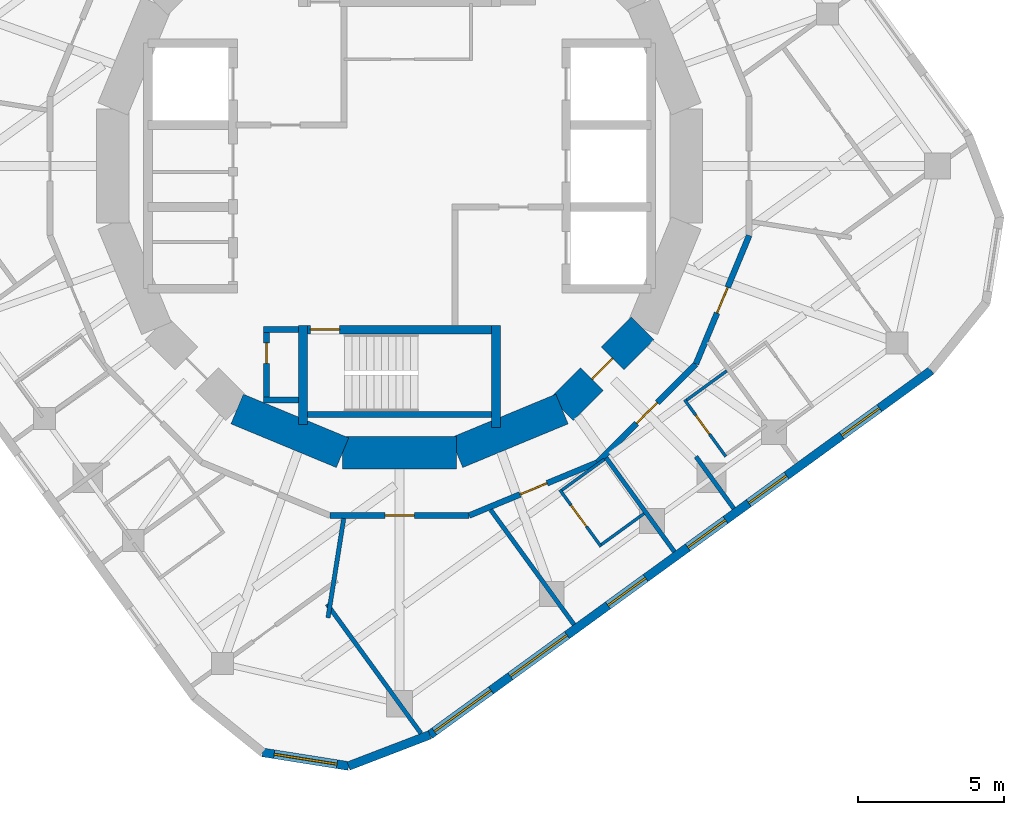
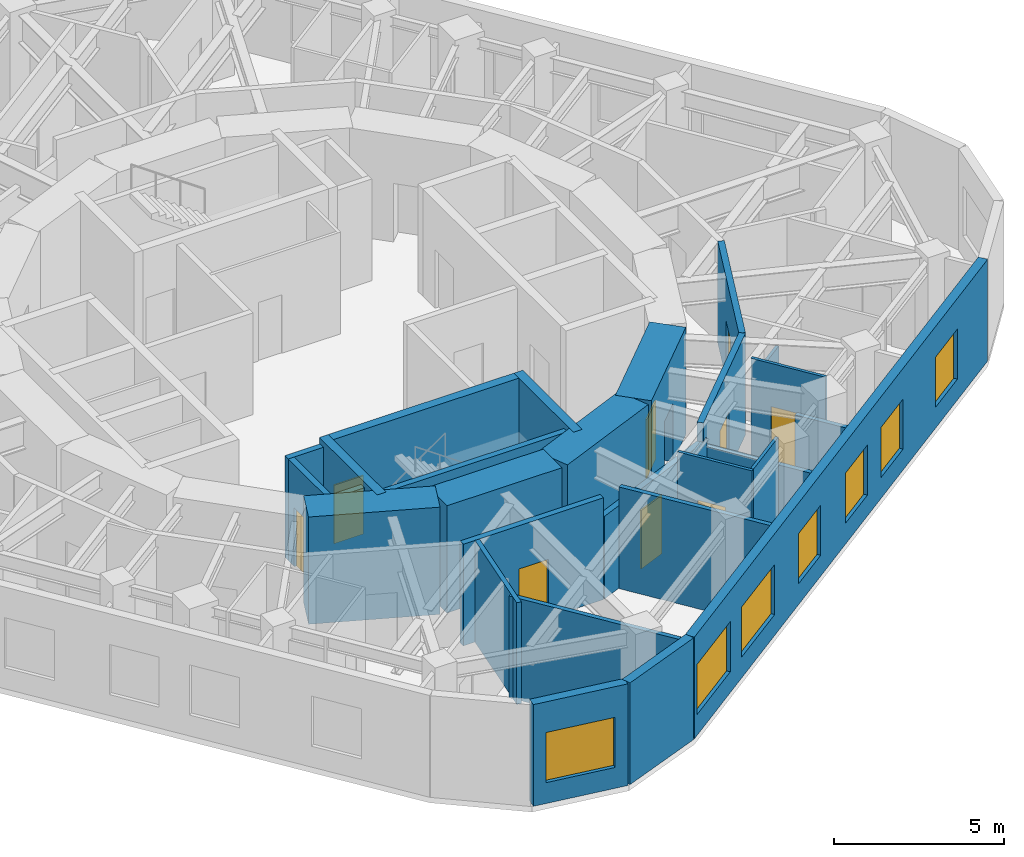
# One storey, part 4 of 9: 28 walls, 9 doors, 7 windows, 16 openings.
"""IFC4 building model written with IfcOpenShell, lengths in metres."""

from ifc_helpers import new_model, si_unit, direction, frame, frame_2d, origin, place, context, subcontext, project, spatial, rectangle, extrude, material, layer, layer_set, type_object, element, fill, save


model = new_model("IFC4")

# Units and contexts
model_context = context("Model", 3, precision=1e-05, world=origin(), true_north=direction((0.0, 1.0)))
body_context = subcontext(model_context, "Body", "Model", "MODEL_VIEW")
ifc_project = project(units=[si_unit("LENGTHUNIT", "METRE"), si_unit("AREAUNIT", "SQUARE_METRE"), si_unit("VOLUMEUNIT", "CUBIC_METRE"), si_unit("PLANEANGLEUNIT", "RADIAN"), si_unit("MASSUNIT", "GRAM", prefix="KILO")], contexts=[model_context])

# Site, building, storey
site_placement = place(None, origin())
site = spatial("IfcSite", under=ifc_project, at=site_placement, CompositionType="ELEMENT")
building_placement = place(site_placement, origin())
building = spatial("IfcBuilding", under=site, at=building_placement, Name="Nakasero Lantern House", CompositionType="ELEMENT")
storey_placement = place(building_placement, frame((0.0, 0.0, 294.550048828125)))
storey = spatial("IfcBuildingStorey", under=building, at=storey_placement, Name="L72", CompositionType="ELEMENT", Elevation=294.550048828125)

# Wall, opening, door
ifc_material_1 = material(Name="Concrete C50/60", Category="concrete")
ifc_layer_1 = layer(ifc_material_1, 0.300048828125)
ifc_layer_set_1 = layer_set([ifc_layer_1], Name="Core inner wall 300")
wall_type_1 = type_object("IfcWallType", Name="Core inner wall 300", PredefinedType="SHEAR", material=ifc_layer_set_1)
wall_1_placement = place(storey_placement, frame((-3.449951171875, -5.60009765625, 0.0), z_axis=(0.0, 0.0, 1.0), x_axis=(1.0, 0.0, 0.0)))
wall_1 = element("IfcWall", 1, at=wall_1_placement, inside=storey, type_object=wall_type_1, Name="Core inner wall L72 SS", PredefinedType="SHEAR", context=body_context, shape_type="SweptSolid", body=[
    extrude(rectangle(XDim=6.89990234375, YDim=0.300048828125, at=frame_2d((3.449951171875, 0.0))), origin(), (0.0, 0.0, 1.0), 3.849853515625),
])
opening_1_placement = place(wall_1_placement, frame((0.39990234375, 0.0, 0.0)))
opening_1 = element("IfcOpeningElement", 2, at=opening_1_placement, cuts=wall_1, Name="Opening D05", PredefinedType="OPENING", context=body_context, shape_type="SweptSolid", body=[
    extrude(rectangle(XDim=1.0, YDim=2.10009765625, at=frame_2d((0.5, 1.050048828125))), frame((0.0, 0.169921875, 0.0), z_axis=(0.0, -1.0, 0.0), x_axis=(1.0, 0.0, 0.0)), (0.0, 0.0, 1.0), 0.340087890625),
])
ifc_material_2 = material(Name="Timber C24", Category="wood")
door_type_1 = type_object("IfcDoorType", Name="Core door FD60S 1000", OperationType="SINGLE_SWING_LEFT", PredefinedType="DOOR", material=ifc_material_2)
door_1_placement = place(opening_1_placement, origin())
door_1 = element("IfcDoor", 3, at=door_1_placement, inside=storey, type_object=door_type_1, Name="Door L72 D-ST2", OperationType="SINGLE_SWING_LEFT", OverallHeight=2.10009765625, OverallWidth=1.0, PredefinedType="DOOR", context=body_context, shape_type="SweptSolid", body=[
    extrude(rectangle(XDim=1.0, YDim=2.10009765625, at=frame_2d((0.5, 1.050048828125))), frame((0.0, 0.02490234375, 0.0), z_axis=(0.0, -1.0, 0.0), x_axis=(1.0, 0.0, 0.0)), (0.0, 0.0, 1.0), 0.050048828125),
])
fill(opening_1, door_1)

# Walls
wall_2_placement = place(storey_placement, frame((-3.300048828125, -5.449951171875, 0.0), z_axis=(0.0, 0.0, 1.0), x_axis=(0.0, -1.0, 0.0)))
element("IfcWall", 4, at=wall_2_placement, inside=storey, type_object=wall_type_1, Name="Core inner wall L72 SSW", PredefinedType="SHEAR", context=body_context, shape_type="SweptSolid", body=[
    extrude(rectangle(XDim=3.400146484375, YDim=0.300048828125, at=frame_2d((1.7001953125, 0.0))), origin(), (0.0, 0.0, 1.0), 3.849853515625),
])
wall_3_placement = place(storey_placement, frame((3.300048828125, -5.449951171875, 0.0), z_axis=(0.0, 0.0, 1.0), x_axis=(0.0, -1.0, 0.0)))
element("IfcWall", 5, at=wall_3_placement, inside=storey, type_object=wall_type_1, Name="Core inner wall L72 SSE", PredefinedType="SHEAR", context=body_context, shape_type="SweptSolid", body=[
    extrude(rectangle(XDim=3.5, YDim=0.300048828125, at=frame_2d((1.75, 0.0))), origin(), (0.0, 0.0, 1.0), 3.849853515625),
])
ifc_material_3 = material(Name="Concrete C50/60", Category="concrete")
ifc_layer_2 = layer(ifc_material_3, 1.10009765625)
ifc_layer_set_2 = layer_set([ifc_layer_2], Name="Core wall 1100")
wall_type_2 = type_object("IfcWallType", Name="Core wall 1100", PredefinedType="SHEAR", material=ifc_layer_set_2)
for number, where, z_axis, x_axis, name in (
    (6, (-5.5556640625, -8.314697265625, 0.0), (0.0, 0.0, 1.0), (0.923876507187, -0.382690736062, 0.0), "Core wall L72 facet 11"),
    (7, (-1.950927734375, -9.807861328125, 0.0), (0.0, 0.0, 1.0), (1.0, 0.0, 0.0), "Core wall L72 facet 12"),
    (8, (1.950927734375, -9.807861328125, 0.0), (0.0, 0.0, 1.0), (0.923876507187, 0.382690736062, 0.0), "Core wall L72 facet 13"),
):
    element("IfcWall", number, at=place(storey_placement, frame(where, z_axis=z_axis, x_axis=x_axis)), inside=storey, type_object=wall_type_2, Name=name, PredefinedType="SHEAR", context=body_context, shape_type="SweptSolid", body=[
        extrude(rectangle(XDim=3.90185546875, YDim=1.10009765625, at=frame_2d((1.950927734375, 0.0))), origin(), (0.0, 0.0, 1.0), 3.849853515625),
    ])

# Wall, opening, door
wall_4_placement = place(storey_placement, frame((5.5556640625, -8.314697265625, 0.0), z_axis=(0.0, 0.0, 1.0), x_axis=(0.707106781187, 0.707106781187, 0.0)))
wall_4 = element("IfcWall", 9, at=wall_4_placement, inside=storey, type_object=wall_type_2, Name="Core wall L72 facet 14", PredefinedType="SHEAR", context=body_context, shape_type="SweptSolid", body=[
    extrude(rectangle(XDim=3.90185546875, YDim=1.10009765625, at=frame_2d((1.950927734375, 0.0))), origin(), (0.0, 0.0, 1.0), 3.849853515625),
])
opening_2_placement = place(wall_4_placement, frame((1.450927734375, 0.0, 0.0)))
opening_2 = element("IfcOpeningElement", 10, at=opening_2_placement, cuts=wall_4, Name="Opening D05", PredefinedType="OPENING", context=body_context, shape_type="SweptSolid", body=[
    extrude(rectangle(XDim=1.0, YDim=2.10009765625, at=frame_2d((0.5, 1.050048828125))), frame((0.0, 0.570068359375, 0.0), z_axis=(0.0, -1.0, 0.0), x_axis=(1.0, 0.0, 0.0)), (0.0, 0.0, 1.0), 1.14013671875),
])
door_2_placement = place(opening_2_placement, origin())
door_2 = element("IfcDoor", 11, at=door_2_placement, inside=storey, type_object=door_type_1, Name="Door L72 D-CORE14", OperationType="SINGLE_SWING_LEFT", OverallHeight=2.10009765625, OverallWidth=1.0, PredefinedType="DOOR", context=body_context, shape_type="SweptSolid", body=[
    extrude(rectangle(XDim=1.0, YDim=2.10009765625, at=frame_2d((0.5, 1.050048828125))), frame((0.0, 0.02490234375, 0.0), z_axis=(0.0, -1.0, 0.0), x_axis=(1.0, 0.0, 0.0)), (0.0, 0.0, 1.0), 0.050048828125),
])
fill(opening_2, door_2)

ifc_material_4 = material(Name="Blockwork", Category="masonry")
ifc_layer_3 = layer(ifc_material_4, 0.199951171875)
ifc_layer_set_3 = layer_set([ifc_layer_3], Name="Corridor wall 200")
wall_type_3 = type_object("IfcWallType", Name="Corridor wall 200", PredefinedType="PARTITIONING", material=ifc_layer_set_3)
wall_5_placement = place(storey_placement, frame((11.957763671875, -2.378662109375, 0.0), z_axis=(0.0, 0.0, 1.0), x_axis=(-0.382653970627, -0.923891735412, 0.0)))
wall_5 = element("IfcWall", 12, at=wall_5_placement, inside=storey, type_object=wall_type_3, Name="Corridor wall L72 RC01a", PredefinedType="PARTITIONING", context=body_context, shape_type="SweptSolid", body=[
    extrude(rectangle(XDim=4.757080078125, YDim=0.199951171875, at=frame_2d((2.37841796875, 0.0))), origin(), (0.0, 0.0, 1.0), 3.64990234375),
])
opening_3_placement = place(wall_5_placement, frame((1.919921875, 0.0, 0.0)))
opening_3 = element("IfcOpeningElement", 13, at=opening_3_placement, cuts=wall_5, Name="Opening D01", PredefinedType="OPENING", context=body_context, shape_type="SweptSolid", body=[
    extrude(rectangle(XDim=0.949951171875, YDim=2.10009765625, at=frame_2d((0.47509765625, 1.050048828125))), frame((0.0, 0.119873046875, 0.0), z_axis=(0.0, -1.0, 0.0), x_axis=(1.0, 0.0, 0.0)), (0.0, 0.0, 1.0), 0.239990234375),
])
ifc_material_5 = material(Name="Timber C24", Category="wood")
door_type_2 = type_object("IfcDoorType", Name="Bedroom door FD30S 950", OperationType="SINGLE_SWING_LEFT", PredefinedType="DOOR", material=ifc_material_5)
door_3_placement = place(opening_3_placement, origin())
door_3 = element("IfcDoor", 14, at=door_3_placement, inside=storey, type_object=door_type_2, Name="Door L72 D3-06", OperationType="SINGLE_SWING_RIGHT", OverallHeight=2.10009765625, OverallWidth=0.949951171875, PredefinedType="DOOR", context=body_context, shape_type="SweptSolid", body=[
    extrude(rectangle(XDim=0.949951171875, YDim=2.10009765625, at=frame_2d((0.47509765625, 1.050048828125))), frame((0.0, 0.02490234375, 0.0), z_axis=(0.0, -1.0, 0.0), x_axis=(1.0, 0.0, 0.0)), (0.0, 0.0, 1.0), 0.050048828125),
])
fill(opening_3, door_3)

wall_6_placement = place(storey_placement, frame((10.137451171875, -6.773681640625, 0.0), z_axis=(0.0, 0.0, 1.0), x_axis=(-0.707106781187, -0.707106781187, 0.0)))
wall_6 = element("IfcWall", 15, at=wall_6_placement, inside=storey, type_object=wall_type_3, Name="Corridor wall L72 RC02a", PredefinedType="PARTITIONING", context=body_context, shape_type="SweptSolid", body=[
    extrude(rectangle(XDim=4.757080078125, YDim=0.199951171875, at=frame_2d((2.37841796875, 0.0))), origin(), (0.0, 0.0, 1.0), 3.64990234375),
])
opening_4_placement = place(wall_6_placement, frame((1.8701171875, 0.0, 0.0)))
opening_4 = element("IfcOpeningElement", 16, at=opening_4_placement, cuts=wall_6, Name="Opening D07", PredefinedType="OPENING", context=body_context, shape_type="SweptSolid", body=[
    extrude(rectangle(XDim=1.0, YDim=2.10009765625, at=frame_2d((0.5, 1.050048828125))), frame((0.0, 0.119873046875, 0.0), z_axis=(0.0, -1.0, 0.0), x_axis=(1.0, 0.0, 0.0)), (0.0, 0.0, 1.0), 0.239990234375),
])
ifc_material_6 = material(Name="Timber C24", Category="wood")
door_type_3 = type_object("IfcDoorType", Name="Room door FD30S 1000", OperationType="SINGLE_SWING_LEFT", PredefinedType="DOOR", material=ifc_material_6)
door_4_placement = place(opening_4_placement, origin())
door_4 = element("IfcDoor", 17, at=door_4_placement, inside=storey, type_object=door_type_3, Name="Door L72 D3-04", OperationType="SINGLE_SWING_LEFT", OverallHeight=2.10009765625, OverallWidth=1.0, PredefinedType="DOOR", context=body_context, shape_type="SweptSolid", body=[
    extrude(rectangle(XDim=1.0, YDim=2.10009765625, at=frame_2d((0.5, 1.050048828125))), frame((0.0, 0.02490234375, 0.0), z_axis=(0.0, -1.0, 0.0), x_axis=(1.0, 0.0, 0.0)), (0.0, 0.0, 1.0), 0.050048828125),
])
fill(opening_4, door_4)

wall_7_placement = place(storey_placement, frame((6.773681640625, -10.137451171875, 0.0), z_axis=(0.0, 0.0, 1.0), x_axis=(-0.923891735412, -0.382653970627, 0.0)))
wall_7 = element("IfcWall", 18, at=wall_7_placement, inside=storey, type_object=wall_type_3, Name="Corridor wall L72 RC03a", PredefinedType="PARTITIONING", context=body_context, shape_type="SweptSolid", body=[
    extrude(rectangle(XDim=4.757080078125, YDim=0.199951171875, at=frame_2d((2.37841796875, 0.0))), origin(), (0.0, 0.0, 1.0), 2.966552734375),
])
opening_5_placement = place(wall_7_placement, frame((1.8701171875, 0.0, 0.0)))
opening_5 = element("IfcOpeningElement", 19, at=opening_5_placement, cuts=wall_7, Name="Opening D07", PredefinedType="OPENING", context=body_context, shape_type="SweptSolid", body=[
    extrude(rectangle(XDim=1.0, YDim=2.10009765625, at=frame_2d((0.5, 1.050048828125))), frame((0.0, 0.119873046875, 0.0), z_axis=(0.0, -1.0, 0.0), x_axis=(1.0, 0.0, 0.0)), (0.0, 0.0, 1.0), 0.239990234375),
])
door_5_placement = place(opening_5_placement, origin())
door_5 = element("IfcDoor", 20, at=door_5_placement, inside=storey, type_object=door_type_3, Name="Door L72 D3-03", OperationType="SINGLE_SWING_LEFT", OverallHeight=2.10009765625, OverallWidth=1.0, PredefinedType="DOOR", context=body_context, shape_type="SweptSolid", body=[
    extrude(rectangle(XDim=1.0, YDim=2.10009765625, at=frame_2d((0.5, 1.050048828125))), frame((0.0, 0.02490234375, 0.0), z_axis=(0.0, -1.0, 0.0), x_axis=(1.0, 0.0, 0.0)), (0.0, 0.0, 1.0), 0.050048828125),
])
fill(opening_5, door_5)

wall_8_placement = place(storey_placement, frame((2.378662109375, -11.957763671875, 0.0), z_axis=(0.0, 0.0, 1.0), x_axis=(-1.0, 0.0, 0.0)))
wall_8 = element("IfcWall", 21, at=wall_8_placement, inside=storey, type_object=wall_type_3, Name="Corridor wall L72 RC04a", PredefinedType="PARTITIONING", context=body_context, shape_type="SweptSolid", body=[
    extrude(rectangle(XDim=4.75732421875, YDim=0.199951171875, at=frame_2d((2.378662109375, 0.0))), origin(), (0.0, 0.0, 1.0), 3.64990234375),
])
opening_6_placement = place(wall_8_placement, frame((1.8701171875, 0.0, 0.0)))
opening_6 = element("IfcOpeningElement", 22, at=opening_6_placement, cuts=wall_8, Name="Opening D03", PredefinedType="OPENING", context=body_context, shape_type="SweptSolid", body=[
    extrude(rectangle(XDim=1.0, YDim=2.10009765625, at=frame_2d((0.5, 1.050048828125))), frame((0.0, 0.119873046875, 0.0), z_axis=(0.0, -1.0, 0.0), x_axis=(1.0, 0.0, 0.0)), (0.0, 0.0, 1.0), 0.239990234375),
])
ifc_material_7 = material(Name="Timber C24", Category="wood")
door_type_4 = type_object("IfcDoorType", Name="Lounge door FD30S 1000", OperationType="SINGLE_SWING_LEFT", PredefinedType="DOOR", material=ifc_material_7)
door_6_placement = place(opening_6_placement, origin())
door_6 = element("IfcDoor", 23, at=door_6_placement, inside=storey, type_object=door_type_4, Name="Door L72 DK3", OperationType="SINGLE_SWING_LEFT", OverallHeight=2.10009765625, OverallWidth=1.0, PredefinedType="DOOR", context=body_context, shape_type="SweptSolid", body=[
    extrude(rectangle(XDim=1.0, YDim=2.10009765625, at=frame_2d((0.5, 1.050048828125))), frame((0.0, 0.02490234375, 0.0), z_axis=(0.0, -1.0, 0.0), x_axis=(1.0, 0.0, 0.0)), (0.0, 0.0, 1.0), 0.050048828125),
])
fill(opening_6, door_6)

ifc_material_8 = material(Name="Blockwork", Category="masonry")
ifc_layer_4 = layer(ifc_material_8, 0.10009765625)
ifc_layer_set_4 = layer_set([ifc_layer_4], Name="En-suite wall 100")
wall_type_4 = type_object("IfcWallType", Name="En-suite wall 100", PredefinedType="PARTITIONING", material=ifc_layer_set_4)
wall_9_placement = place(storey_placement, frame((5.48193359375, -11.078125, 0.0), z_axis=(0.0, 0.0, 1.0), x_axis=(0.587772420479, -0.809026317077, 0.0)))
wall_9 = element("IfcWall", 24, at=wall_9_placement, inside=storey, type_object=wall_type_4, Name="En-suite wall L72 ES3-03", PredefinedType="PARTITIONING", context=body_context, shape_type="SweptSolid", body=[
    extrude(rectangle(XDim=2.39990234375, YDim=0.10009765625, at=frame_2d((1.199951171875, 0.0))), origin(), (0.0, 0.0, 1.0), 3.64990234375),
])
opening_7_placement = place(wall_9_placement, frame((0.64990234375, 0.0, 0.0)))
opening_7 = element("IfcOpeningElement", 25, at=opening_7_placement, cuts=wall_9, Name="Opening D16", PredefinedType="OPENING", context=body_context, shape_type="SweptSolid", body=[
    extrude(rectangle(XDim=0.89990234375, YDim=2.10009765625, at=frame_2d((0.449951171875, 1.050048828125))), frame((0.0, 0.070068359375, 0.0), z_axis=(0.0, -1.0, 0.0), x_axis=(1.0, 0.0, 0.0)), (0.0, 0.0, 1.0), 0.14013671875),
])
ifc_material_9 = material(Name="Timber C24", Category="wood")
door_type_5 = type_object("IfcDoorType", Name="Accessible WC door 900", OperationType="SINGLE_SWING_RIGHT", PredefinedType="DOOR", material=ifc_material_9)
door_7_placement = place(opening_7_placement, origin())
door_7 = element("IfcDoor", 26, at=door_7_placement, inside=storey, type_object=door_type_5, Name="Door L72 DE3-03", OperationType="SINGLE_SWING_LEFT", OverallHeight=2.10009765625, OverallWidth=0.89990234375, PredefinedType="DOOR", context=body_context, shape_type="SweptSolid", body=[
    extrude(rectangle(XDim=0.89990234375, YDim=2.10009765625, at=frame_2d((0.449951171875, 1.050048828125))), frame((0.0, 0.02490234375, 0.0), z_axis=(0.0, -1.0, 0.0), x_axis=(1.0, 0.0, 0.0)), (0.0, 0.0, 1.0), 0.050048828125),
])
fill(opening_7, door_7)

# Walls
wall_10_placement = place(storey_placement, frame((6.903564453125, -12.949951171875, 0.0), z_axis=(0.0, 0.0, 1.0), x_axis=(0.809005783898, 0.58780068188, 0.0)))
element("IfcWall", 27, at=wall_10_placement, inside=storey, type_object=wall_type_4, Name="En-suite wall L72 EE3-03", PredefinedType="PARTITIONING", context=body_context, shape_type="SweptSolid", body=[
    extrude(rectangle(XDim=1.800048828125, YDim=0.10009765625, at=frame_2d((0.89990234375, 0.0))), origin(), (0.0, 0.0, 1.0), 3.64990234375),
])
wall_11_placement = place(storey_placement, frame((5.5517578125, -11.089111328125, 0.0), z_axis=(0.0, 0.0, 1.0), x_axis=(0.809070278701, 0.587711905718, 0.0)))
element("IfcWall", 28, at=wall_11_placement, inside=storey, type_object=wall_type_4, Name="En-suite wall L72 EI3-03", PredefinedType="PARTITIONING", context=body_context, shape_type="SweptSolid", body=[
    extrude(rectangle(XDim=1.800048828125, YDim=0.10009765625, at=frame_2d((0.89990234375, 0.0))), origin(), (0.0, 0.0, 1.0), 2.966552734375),
])

# Wall, opening, door
wall_12_placement = place(storey_placement, frame((9.747314453125, -7.998291015625, 0.0), z_axis=(0.0, 0.0, 1.0), x_axis=(0.587772420479, -0.809026317077, 0.0)))
wall_12 = element("IfcWall", 29, at=wall_12_placement, inside=storey, type_object=wall_type_4, Name="En-suite wall L72 ES3-04", PredefinedType="PARTITIONING", context=body_context, shape_type="SweptSolid", body=[
    extrude(rectangle(XDim=2.39990234375, YDim=0.10009765625, at=frame_2d((1.199951171875, 0.0))), origin(), (0.0, 0.0, 1.0), 3.64990234375),
])
opening_8_placement = place(wall_12_placement, frame((0.64990234375, 0.0, 0.0)))
opening_8 = element("IfcOpeningElement", 30, at=opening_8_placement, cuts=wall_12, Name="Opening D15", PredefinedType="OPENING", context=body_context, shape_type="SweptSolid", body=[
    extrude(rectangle(XDim=0.800048828125, YDim=2.10009765625, at=frame_2d((0.39990234375, 1.050048828125))), frame((0.0, 0.070068359375, 0.0), z_axis=(0.0, -1.0, 0.0), x_axis=(1.0, 0.0, 0.0)), (0.0, 0.0, 1.0), 0.14013671875),
])
ifc_material_10 = material(Name="Timber C24", Category="wood")
door_type_6 = type_object("IfcDoorType", Name="Cleaner's store door FD30S 800", OperationType="SINGLE_SWING_LEFT", PredefinedType="DOOR", material=ifc_material_10)
door_8_placement = place(opening_8_placement, origin())
door_8 = element("IfcDoor", 31, at=door_8_placement, inside=storey, type_object=door_type_6, Name="Door L72 DE3-04", OperationType="SINGLE_SWING_LEFT", OverallHeight=2.10009765625, OverallWidth=0.800048828125, PredefinedType="DOOR", context=body_context, shape_type="SweptSolid", body=[
    extrude(rectangle(XDim=0.800048828125, YDim=2.10009765625, at=frame_2d((0.39990234375, 1.050048828125))), frame((0.0, 0.02490234375, 0.0), z_axis=(0.0, -1.0, 0.0), x_axis=(1.0, 0.0, 0.0)), (0.0, 0.0, 1.0), 0.050048828125),
])
fill(opening_8, door_8)

# Wall
wall_13_placement = place(storey_placement, frame((9.817138671875, -8.00927734375, 0.0), z_axis=(0.0, 0.0, 1.0), x_axis=(0.808990636343, 0.587821529301, 0.0)))
element("IfcWall", 32, at=wall_13_placement, inside=storey, type_object=wall_type_4, Name="En-suite wall L72 EI3-04", PredefinedType="PARTITIONING", context=body_context, shape_type="SweptSolid", body=[
    extrude(rectangle(XDim=1.699951171875, YDim=0.10009765625, at=frame_2d((0.85009765625, 0.0))), origin(), (0.0, 0.0, 1.0), 2.966552734375),
])

# Wall, opening, window
ifc_material_11 = material(Name="Aluminium rainscreen on blockwork", Category="masonry")
ifc_layer_5 = layer(ifc_material_11, 0.300048828125)
ifc_layer_set_5 = layer_set([ifc_layer_5], Name="Facade wall 300")
wall_type_5 = type_object("IfcWallType", Name="Facade wall 300", PredefinedType="SOLIDWALL", material=ifc_layer_set_5)
wall_14_placement = place(storey_placement, frame((-4.683837890625, -20.05908203125, 0.0), z_axis=(0.0, 0.0, 1.0), x_axis=(0.987691704133, -0.156413227021, 0.0)))
wall_14 = element("IfcWall", 33, at=wall_14_placement, inside=storey, type_object=wall_type_5, Name="Facade wall L72 FW2C2", PredefinedType="SOLIDWALL", context=body_context, shape_type="SweptSolid", body=[
    extrude(rectangle(XDim=2.9765625, YDim=0.300048828125, at=frame_2d((1.48828125, 0.0))), origin(), (0.0, 0.0, 1.0), 3.64990234375),
])
opening_9_placement = place(wall_14_placement, frame((0.39990234375, 0.0, 0.75)))
opening_9 = element("IfcOpeningElement", 34, at=opening_9_placement, cuts=wall_14, Name="Opening W221", PredefinedType="OPENING", context=body_context, shape_type="SweptSolid", body=[
    extrude(rectangle(XDim=2.176025390625, YDim=1.800048828125, at=frame_2d((1.087890625, 0.89990234375))), frame((0.0, 0.169921875, 0.0), z_axis=(0.0, -1.0, 0.0), x_axis=(1.0, 0.0, 0.0)), (0.0, 0.0, 1.0), 0.340087890625),
])
ifc_material_12 = material(Name="Aluminium 6063-T6 and glass", Category="aluminium")
window_type_1 = type_object("IfcWindowType", Name="Corner window 2176x1800", PartitioningType="SINGLE_PANEL", PredefinedType="WINDOW", material=ifc_material_12)
window_1_placement = place(opening_9_placement, origin())
window_1 = element("IfcWindow", 35, at=window_1_placement, inside=storey, type_object=window_type_1, Name="Window L72 WC2", OverallHeight=1.800048828125, OverallWidth=2.176025390625, PartitioningType="SINGLE_PANEL", PredefinedType="WINDOW", context=body_context, shape_type="SweptSolid", body=[
    extrude(rectangle(XDim=2.176025390625, YDim=1.800048828125, at=frame_2d((1.087890625, 0.89990234375))), frame((0.0, 0.030029296875, 0.0), z_axis=(0.0, -1.0, 0.0), x_axis=(1.0, 0.0, 0.0)), (0.0, 0.0, 1.0), 0.06005859375),
])
fill(opening_9, window_1)

# Wall
wall_15_placement = place(storey_placement, frame((-1.743896484375, -20.524658203125, 0.0), z_axis=(0.0, 0.0, 1.0), x_axis=(0.933573745966, 0.35838535244, 0.0)))
element("IfcWall", 36, at=wall_15_placement, inside=storey, type_object=wall_type_5, Name="Facade wall L72 FW2C3", PredefinedType="SOLIDWALL", context=body_context, shape_type="SweptSolid", body=[
    extrude(rectangle(XDim=2.976318359375, YDim=0.300048828125, at=frame_2d((1.48828125, 0.0))), origin(), (0.0, 0.0, 1.0), 3.64990234375),
])

# Wall, openings, windows
wall_16_placement = place(storey_placement, frame((1.03466796875, -19.4580078125, 0.0), z_axis=(0.0, 0.0, 1.0), x_axis=(0.809013375328, 0.587790233451, 0.0)))
wall_16 = element("IfcWall", 37, at=wall_16_placement, inside=storey, type_object=wall_type_5, Name="Facade wall L72 FW3S", PredefinedType="SOLIDWALL", context=body_context, shape_type="SweptSolid", body=[
    extrude(rectangle(XDim=21.199951171875, YDim=0.300048828125, at=frame_2d((10.60009765625, 0.0))), origin(), (0.0, 0.0, 1.0), 3.64990234375),
])
opening_10_placement = place(wall_16_placement, frame((7.52783203125, 0.0, 0.75)))
opening_10 = element("IfcOpeningElement", 38, at=opening_10_placement, cuts=wall_16, Name="Opening W01", PredefinedType="OPENING", context=body_context, shape_type="SweptSolid", body=[
    extrude(rectangle(XDim=1.60009765625, YDim=1.800048828125, at=frame_2d((0.800048828125, 0.89990234375))), frame((0.0, 0.169921875, 0.0), z_axis=(0.0, -1.0, 0.0), x_axis=(1.0, 0.0, 0.0)), (0.0, 0.0, 1.0), 0.340087890625),
])
opening_11_placement = place(wall_16_placement, frame((10.904052734375, 0.0, 0.75)))
opening_11 = element("IfcOpeningElement", 39, at=opening_11_placement, cuts=wall_16, Name="Opening W01", PredefinedType="OPENING", context=body_context, shape_type="SweptSolid", body=[
    extrude(rectangle(XDim=1.60009765625, YDim=1.800048828125, at=frame_2d((0.800048828125, 0.89990234375))), frame((0.0, 0.169921875, 0.0), z_axis=(0.0, -1.0, 0.0), x_axis=(1.0, 0.0, 0.0)), (0.0, 0.0, 1.0), 0.340087890625),
])
opening_12_placement = place(wall_16_placement, frame((13.484619140625, 0.0, 0.75)))
opening_12 = element("IfcOpeningElement", 40, at=opening_12_placement, cuts=wall_16, Name="Opening W01", PredefinedType="OPENING", context=body_context, shape_type="SweptSolid", body=[
    extrude(rectangle(XDim=1.60009765625, YDim=1.800048828125, at=frame_2d((0.800048828125, 0.89990234375))), frame((0.0, 0.169921875, 0.0), z_axis=(0.0, -1.0, 0.0), x_axis=(1.0, 0.0, 0.0)), (0.0, 0.0, 1.0), 0.340087890625),
])
opening_13_placement = place(wall_16_placement, frame((17.410888671875, 0.0, 0.75)))
opening_13 = element("IfcOpeningElement", 41, at=opening_13_placement, cuts=wall_16, Name="Opening W01", PredefinedType="OPENING", context=body_context, shape_type="SweptSolid", body=[
    extrude(rectangle(XDim=1.60009765625, YDim=1.800048828125, at=frame_2d((0.800048828125, 0.89990234375))), frame((0.0, 0.169921875, 0.0), z_axis=(0.0, -1.0, 0.0), x_axis=(1.0, 0.0, 0.0)), (0.0, 0.0, 1.0), 0.340087890625),
])
opening_14_placement = place(wall_16_placement, frame((0.1904296875, 0.0, 0.75)))
opening_14 = element("IfcOpeningElement", 42, at=opening_14_placement, cuts=wall_16, Name="Opening W03", PredefinedType="OPENING", context=body_context, shape_type="SweptSolid", body=[
    extrude(rectangle(XDim=2.39990234375, YDim=1.800048828125, at=frame_2d((1.199951171875, 0.89990234375))), frame((0.0, 0.169921875, 0.0), z_axis=(0.0, -1.0, 0.0), x_axis=(1.0, 0.0, 0.0)), (0.0, 0.0, 1.0), 0.340087890625),
])
opening_15_placement = place(wall_16_placement, frame((3.401611328125, 0.0, 0.75)))
opening_15 = element("IfcOpeningElement", 43, at=opening_15_placement, cuts=wall_16, Name="Opening W03", PredefinedType="OPENING", context=body_context, shape_type="SweptSolid", body=[
    extrude(rectangle(XDim=2.39990234375, YDim=1.800048828125, at=frame_2d((1.199951171875, 0.89990234375))), frame((0.0, 0.169921875, 0.0), z_axis=(0.0, -1.0, 0.0), x_axis=(1.0, 0.0, 0.0)), (0.0, 0.0, 1.0), 0.340087890625),
])
ifc_material_13 = material(Name="Aluminium 6063-T6 and glass", Category="aluminium")
window_type_2 = type_object("IfcWindowType", Name="Bedroom window 1600x1800", PartitioningType="SINGLE_PANEL", PredefinedType="WINDOW", material=ifc_material_13)
window_2_placement = place(opening_10_placement, origin())
window_2 = element("IfcWindow", 44, at=window_2_placement, inside=storey, type_object=window_type_2, Name="Window L72 WN3-03", OverallHeight=1.800048828125, OverallWidth=1.60009765625, PartitioningType="SINGLE_PANEL", PredefinedType="WINDOW", context=body_context, shape_type="SweptSolid", body=[
    extrude(rectangle(XDim=1.60009765625, YDim=1.800048828125, at=frame_2d((0.800048828125, 0.89990234375))), frame((0.0, 0.030029296875, 0.0), z_axis=(0.0, -1.0, 0.0), x_axis=(1.0, 0.0, 0.0)), (0.0, 0.0, 1.0), 0.06005859375),
])
fill(opening_10, window_2)
window_3_placement = place(opening_11_placement, origin())
window_3 = element("IfcWindow", 45, at=window_3_placement, inside=storey, type_object=window_type_2, Name="Window L72 WN3-04", OverallHeight=1.800048828125, OverallWidth=1.60009765625, PartitioningType="SINGLE_PANEL", PredefinedType="WINDOW", context=body_context, shape_type="SweptSolid", body=[
    extrude(rectangle(XDim=1.60009765625, YDim=1.800048828125, at=frame_2d((0.800048828125, 0.89990234375))), frame((0.0, 0.030029296875, 0.0), z_axis=(0.0, -1.0, 0.0), x_axis=(1.0, 0.0, 0.0)), (0.0, 0.0, 1.0), 0.06005859375),
])
fill(opening_11, window_3)
window_4_placement = place(opening_12_placement, origin())
window_4 = element("IfcWindow", 46, at=window_4_placement, inside=storey, type_object=window_type_2, Name="Window L72 WN3-05", OverallHeight=1.800048828125, OverallWidth=1.60009765625, PartitioningType="SINGLE_PANEL", PredefinedType="WINDOW", context=body_context, shape_type="SweptSolid", body=[
    extrude(rectangle(XDim=1.60009765625, YDim=1.800048828125, at=frame_2d((0.800048828125, 0.89990234375))), frame((0.0, 0.030029296875, 0.0), z_axis=(0.0, -1.0, 0.0), x_axis=(1.0, 0.0, 0.0)), (0.0, 0.0, 1.0), 0.06005859375),
])
fill(opening_12, window_4)
window_5_placement = place(opening_13_placement, origin())
window_5 = element("IfcWindow", 47, at=window_5_placement, inside=storey, type_object=window_type_2, Name="Window L72 WN3-06", OverallHeight=1.800048828125, OverallWidth=1.60009765625, PartitioningType="SINGLE_PANEL", PredefinedType="WINDOW", context=body_context, shape_type="SweptSolid", body=[
    extrude(rectangle(XDim=1.60009765625, YDim=1.800048828125, at=frame_2d((0.800048828125, 0.89990234375))), frame((0.0, 0.030029296875, 0.0), z_axis=(0.0, -1.0, 0.0), x_axis=(1.0, 0.0, 0.0)), (0.0, 0.0, 1.0), 0.06005859375),
])
fill(opening_13, window_5)
ifc_material_14 = material(Name="Aluminium 6063-T6 and glass", Category="aluminium")
window_type_3 = type_object("IfcWindowType", Name="Lounge window 2400x1800", PartitioningType="SINGLE_PANEL", PredefinedType="WINDOW", material=ifc_material_14)
window_6_placement = place(opening_14_placement, origin())
window_6 = element("IfcWindow", 48, at=window_6_placement, inside=storey, type_object=window_type_3, Name="Window L72 WK3", OverallHeight=1.800048828125, OverallWidth=2.39990234375, PartitioningType="SINGLE_PANEL", PredefinedType="WINDOW", context=body_context, shape_type="SweptSolid", body=[
    extrude(rectangle(XDim=2.39990234375, YDim=1.800048828125, at=frame_2d((1.199951171875, 0.89990234375))), frame((0.0, 0.030029296875, 0.0), z_axis=(0.0, -1.0, 0.0), x_axis=(1.0, 0.0, 0.0)), (0.0, 0.0, 1.0), 0.06005859375),
])
fill(opening_14, window_6)
window_7_placement = place(opening_15_placement, origin())
window_7 = element("IfcWindow", 49, at=window_7_placement, inside=storey, type_object=window_type_3, Name="Window L72 WL3", OverallHeight=1.800048828125, OverallWidth=2.39990234375, PartitioningType="SINGLE_PANEL", PredefinedType="WINDOW", context=body_context, shape_type="SweptSolid", body=[
    extrude(rectangle(XDim=2.39990234375, YDim=1.800048828125, at=frame_2d((1.199951171875, 0.89990234375))), frame((0.0, 0.030029296875, 0.0), z_axis=(0.0, -1.0, 0.0), x_axis=(1.0, 0.0, 0.0)), (0.0, 0.0, 1.0), 0.06005859375),
])
fill(opening_15, window_7)

# Wall, opening, door
ifc_material_15 = material(Name="Blockwork", Category="masonry")
ifc_layer_6 = layer(ifc_material_15, 0.199951171875)
ifc_layer_set_6 = layer_set([ifc_layer_6], Name="Fire lobby wall 200")
wall_type_6 = type_object("IfcWallType", Name="Fire lobby wall 200", PredefinedType="PARTITIONING", material=ifc_layer_set_6)
wall_17_placement = place(storey_placement, frame((-4.550048828125, -5.60009765625, 0.0), z_axis=(0.0, 0.0, 1.0), x_axis=(0.0, -1.0, 0.0)))
wall_17 = element("IfcWall", 50, at=wall_17_placement, inside=storey, type_object=wall_type_6, Name="Fire lobby wall L72 W-RS2W", PredefinedType="PARTITIONING", context=body_context, shape_type="SweptSolid", body=[
    extrude(rectangle(XDim=2.39990234375, YDim=0.199951171875, at=frame_2d((1.199951171875, 0.0))), origin(), (0.0, 0.0, 1.0), 3.64990234375),
])
opening_16_placement = place(wall_17_placement, frame((0.449951171875, 0.0, 0.0)))
opening_16 = element("IfcOpeningElement", 51, at=opening_16_placement, cuts=wall_17, Name="Opening D06", PredefinedType="OPENING", context=body_context, shape_type="SweptSolid", body=[
    extrude(rectangle(XDim=0.699951171875, YDim=2.10009765625, at=frame_2d((0.35009765625, 1.050048828125))), frame((0.0, 0.119873046875, 0.0), z_axis=(0.0, -1.0, 0.0), x_axis=(1.0, 0.0, 0.0)), (0.0, 0.0, 1.0), 0.239990234375),
])
ifc_material_16 = material(Name="Steel S355", Category="steel")
door_type_7 = type_object("IfcDoorType", Name="Riser door FD60 700", OperationType="SINGLE_SWING_LEFT", PredefinedType="DOOR", material=ifc_material_16)
door_9_placement = place(opening_16_placement, origin())
door_9 = element("IfcDoor", 52, at=door_9_placement, inside=storey, type_object=door_type_7, Name="Door L72 D-RS2", OperationType="SINGLE_SWING_LEFT", OverallHeight=2.10009765625, OverallWidth=0.699951171875, PredefinedType="DOOR", context=body_context, shape_type="SweptSolid", body=[
    extrude(rectangle(XDim=0.699951171875, YDim=2.10009765625, at=frame_2d((0.35009765625, 1.050048828125))), frame((0.0, 0.02490234375, 0.0), z_axis=(0.0, -1.0, 0.0), x_axis=(1.0, 0.0, 0.0)), (0.0, 0.0, 1.0), 0.050048828125),
])
fill(opening_16, door_9)

# Walls
for number, where, z_axis, x_axis, name in (
    (53, (-3.449951171875, -8.0, 0.0), (0.0, 0.0, 1.0), (-1.0, 0.0, 0.0), "Fire lobby wall L72 W-RS2S"),
    (54, (-3.449951171875, -5.60009765625, 0.0), (0.0, 0.0, 1.0), (-1.0, 0.0, 0.0), "Fire lobby wall L72 W-RS2N"),
):
    element("IfcWall", number, at=place(storey_placement, frame(where, z_axis=z_axis, x_axis=x_axis)), inside=storey, type_object=wall_type_6, Name=name, PredefinedType="PARTITIONING", context=body_context, shape_type="SweptSolid", body=[
        extrude(rectangle(XDim=1.199951171875, YDim=0.199951171875, at=frame_2d((0.60009765625, 0.0))), origin(), (0.0, 0.0, 1.0), 3.64990234375),
    ])
wall_18_placement = place(storey_placement, frame((-3.300048828125, -8.5, 0.0), z_axis=(0.0, 0.0, 1.0), x_axis=(1.0, 0.0, 0.0)))
element("IfcWall", 55, at=wall_18_placement, inside=storey, type_object=wall_type_6, Name="Fire lobby wall L72 W-STS", PredefinedType="PARTITIONING", context=body_context, shape_type="SweptSolid", body=[
    extrude(rectangle(XDim=6.60009765625, YDim=0.199951171875, at=frame_2d((3.300048828125, 0.0))), origin(), (0.0, 0.0, 1.0), 3.64990234375),
])
ifc_material_17 = material(Name="Blockwork", Category="masonry")
ifc_layer_7 = layer(ifc_material_17, 0.14990234375)
ifc_layer_set_7 = layer_set([ifc_layer_7], Name="Party wall 150")
wall_type_7 = type_object("IfcWallType", Name="Party wall 150", PredefinedType="PARTITIONING", material=ifc_layer_set_7)
wall_19_placement = place(storey_placement, frame((-1.90966796875, -12.057861328125, 0.0), z_axis=(0.0, 0.0, 1.0), x_axis=(-0.156465405864, -0.987683439553, 0.0)))
element("IfcWall", 56, at=wall_19_placement, inside=storey, type_object=wall_type_7, Name="Party wall L72 PD2", PredefinedType="PARTITIONING", context=body_context, shape_type="SweptSolid", body=[
    extrude(rectangle(XDim=3.440673828125, YDim=0.14990234375, at=frame_2d((1.72021484375, 0.0))), origin(), (0.0, 0.0, 1.0), 3.64990234375),
])
wall_20_placement = place(storey_placement, frame((10.13818359375, -9.939208984375, 0.0), z_axis=(0.0, 0.0, 1.0), x_axis=(0.587821928992, -0.808990345923, 0.0)))
element("IfcWall", 57, at=wall_20_placement, inside=storey, type_object=wall_type_7, Name="Party wall L72 PN3-05", PredefinedType="PARTITIONING", context=body_context, shape_type="SweptSolid", body=[
    extrude(rectangle(XDim=2.199951171875, YDim=0.14990234375, at=frame_2d((1.10009765625, 0.0))), origin(), (0.0, 0.0, 1.0), 2.669921875),
])
wall_21_placement = place(storey_placement, frame((-2.48095703125, -14.9853515625, 0.0), z_axis=(0.0, 0.0, 1.0), x_axis=(0.587775959987, -0.809023745549, 0.0)))
element("IfcWall", 58, at=wall_21_placement, inside=storey, type_object=wall_type_7, Name="Party wall L72 PW3-01", PredefinedType="PARTITIONING", context=body_context, shape_type="SweptSolid", body=[
    extrude(rectangle(XDim=5.466552734375, YDim=0.14990234375, at=frame_2d((2.7333984375, 0.0))), origin(), (0.0, 0.0, 1.0), 3.64990234375),
])
wall_22_placement = place(storey_placement, frame((3.114990234375, -11.760986328125, 0.0), z_axis=(0.0, 0.0, 1.0), x_axis=(0.587779883253, -0.809020895183, 0.0)))
element("IfcWall", 59, at=wall_22_placement, inside=storey, type_object=wall_type_7, Name="Party wall L72 PW3-03", PredefinedType="PARTITIONING", context=body_context, shape_type="SweptSolid", body=[
    extrude(rectangle(XDim=4.854248046875, YDim=0.14990234375, at=frame_2d((2.42724609375, 0.0))), origin(), (0.0, 0.0, 1.0), 3.64990234375),
])
wall_23_placement = place(storey_placement, frame((7.067138671875, -9.985107421875, 0.0), z_axis=(0.0, 0.0, 1.0), x_axis=(0.587802119896, -0.809004739075, 0.0)))
element("IfcWall", 60, at=wall_23_placement, inside=storey, type_object=wall_type_7, Name="Party wall L72 PW3-04", PredefinedType="PARTITIONING", context=body_context, shape_type="SweptSolid", body=[
    extrude(rectangle(XDim=3.9677734375, YDim=0.14990234375, at=frame_2d((1.98388671875, 0.0))), origin(), (0.0, 0.0, 1.0), 2.650146484375),
])

save(model, "model.ifc")
